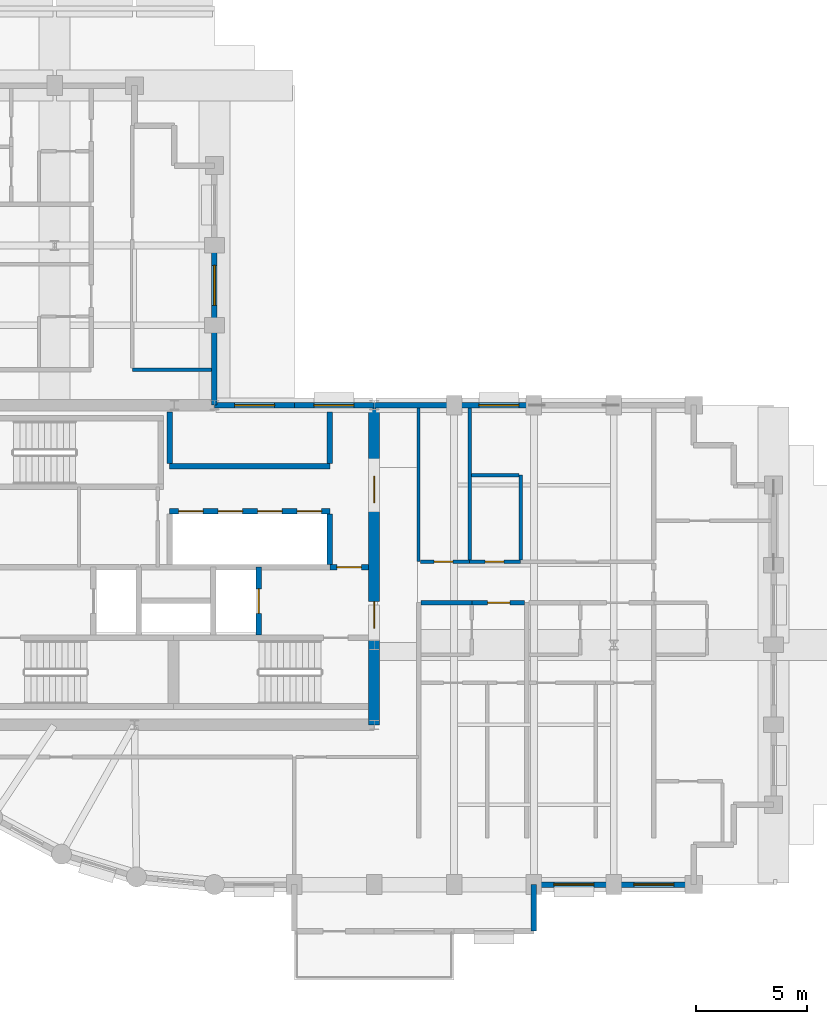
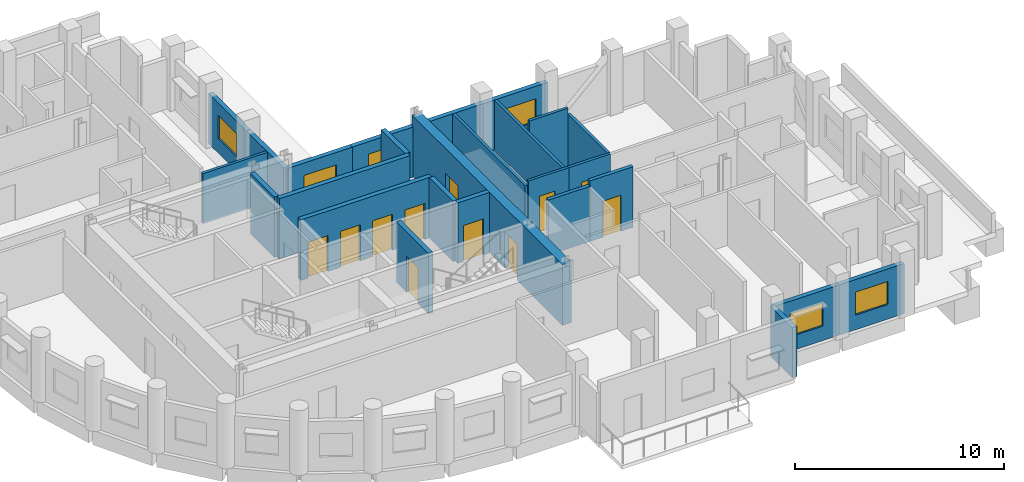
# One storey, part 5 of 10: 26 walls, 11 doors, 6 windows, 17 openings.
"""IFC4 building model written with IfcOpenShell, lengths in metres."""

from ifc_helpers import new_model, si_unit, direction, frame, frame_2d, origin, place, context, subcontext, project, spatial, rectangle, extrude, material, layer, layer_set, type_object, element, fill, save


model = new_model("IFC4")

# Units and contexts
model_context = context("Model", 3, precision=1e-05, world=origin(), true_north=direction((0.0, 1.0)))
body_context = subcontext(model_context, "Body", "Model", "MODEL_VIEW")
ifc_project = project(units=[si_unit("LENGTHUNIT", "METRE"), si_unit("AREAUNIT", "SQUARE_METRE"), si_unit("VOLUMEUNIT", "CUBIC_METRE"), si_unit("PLANEANGLEUNIT", "RADIAN"), si_unit("MASSUNIT", "GRAM", prefix="KILO")], contexts=[model_context])

# Site, building, storey
site_placement = place(None, origin())
site = spatial("IfcSite", under=ifc_project, at=site_placement, CompositionType="ELEMENT")
building_placement = place(site_placement, origin())
building = spatial("IfcBuilding", under=site, at=building_placement, Name="Solnavia Interchange Tower", CompositionType="ELEMENT")
storey_placement = place(building_placement, frame((0.0, 0.0, 174.800048828125)))
storey = spatial("IfcBuildingStorey", under=building, at=storey_placement, Name="L43", CompositionType="ELEMENT", Elevation=174.800048828125)

# Wall
ifc_material_1 = material(Name="Gypsum Acoustic Twin-Stud & Mineral Wool", Category="gypsum")
ifc_layer_1 = layer(ifc_material_1, 0.199951171875)
ifc_layer_set_1 = layer_set([ifc_layer_1], Name="Gypsum Acoustic Twin-Stud & Mineral Wool")
wall_type_1 = type_object("IfcWallType", Name="Wall-ApartmentParty-200", PredefinedType="PARTITIONING", material=ifc_layer_set_1)
wall_1_placement = place(storey_placement, frame((34.50390625, 16.300048828125, 0.0), z_axis=(0.0, 0.0, 1.0), x_axis=(1.0, 0.0, 0.0)))
element("IfcWall", 1, at=wall_1_placement, inside=storey, type_object=wall_type_1, Name="PTW-L43-15 Interior partition wall", PredefinedType="PARTITIONING", context=body_context, shape_type="SweptSolid", body=[
    extrude(rectangle(XDim=2.296142578125, YDim=0.199951171875, at=frame_2d((1.14794921875, 0.0))), origin(), (0.0, 0.0, 1.0), 3.219970703125),
])

# Wall, opening, door
wall_2_placement = place(storey_placement, frame((36.800048828125, 16.300048828125, 0.0), z_axis=(0.0, 0.0, 1.0), x_axis=(1.0, 0.0, 0.0)))
wall_2 = element("IfcWall", 2, at=wall_2_placement, inside=storey, type_object=wall_type_1, Name="PTW-L43-18 Interior partition wall", PredefinedType="PARTITIONING", context=body_context, shape_type="SweptSolid", body=[
    extrude(rectangle(XDim=2.3759765625, YDim=0.199951171875, at=frame_2d((1.18798828125, 0.0))), origin(), (0.0, 0.0, 1.0), 3.534912109375),
])
opening_1_placement = place(wall_2_placement, frame((0.7109375, 0.0, 0.0)))
opening_1 = element("IfcOpeningElement", 3, at=opening_1_placement, cuts=wall_2, Name="Opening DR-06", PredefinedType="OPENING", context=body_context, shape_type="SweptSolid", body=[
    extrude(rectangle(XDim=1.0, YDim=2.10009765625, at=frame_2d((0.5, 1.050048828125))), frame((0.0, 0.10986328125, 0.0), z_axis=(0.0, -1.0, 0.0), x_axis=(1.0, 0.0, 0.0)), (0.0, 0.0, 1.0), 0.219970703125),
])
ifc_material_2 = material(Name="Engineered Timber Acoustic Fire Door", Category="wood")
door_type_1 = type_object("IfcDoorType", Name="Door-FlatEntry-1000x2100", OperationType="SINGLE_SWING_LEFT", PredefinedType="DOOR", material=ifc_material_2)
door_1_placement = place(opening_1_placement, origin())
door_1 = element("IfcDoor", 4, at=door_1_placement, inside=storey, type_object=door_type_1, Name="DR-L43-07 Interior room door", OperationType="SINGLE_SWING_LEFT", OverallHeight=2.10009765625, OverallWidth=1.0, PredefinedType="DOOR", context=body_context, shape_type="SweptSolid", body=[
    extrude(rectangle(XDim=1.0, YDim=2.10009765625, at=frame_2d((0.5, 1.050048828125))), frame((0.0, 0.02490234375, 0.0), z_axis=(0.0, -1.0, 0.0), x_axis=(1.0, 0.0, 0.0)), (0.0, 0.0, 1.0), 0.050048828125),
])
fill(opening_1, door_1)

# Wall
ifc_material_3 = material(Name="Concrete C40/50", Category="concrete")
ifc_layer_2 = layer(ifc_material_3, 0.25)
ifc_layer_set_2 = layer_set([ifc_layer_2], Name="Concrete C40/50")
wall_type_2 = type_object("IfcWallType", Name="Wall-ExtSpandrel-250", PredefinedType="STANDARD", material=ifc_layer_set_2)
wall_3_placement = place(storey_placement, frame((39.60009765625, 3.60009765625, 0.0), z_axis=(0.0, 0.0, 1.0), x_axis=(0.0, -1.0, 0.0)))
element("IfcWall", 5, at=wall_3_placement, inside=storey, type_object=wall_type_2, Name="EXW-L43-06 Exterior precast spandrel wall", PredefinedType="STANDARD", context=body_context, shape_type="SweptSolid", body=[
    extrude(rectangle(XDim=2.10009765625, YDim=0.25, at=frame_2d((1.050048828125, 0.0))), origin(), (0.0, 0.0, 1.0), 2.929931640625),
])

# Wall, opening, window
wall_4_placement = place(storey_placement, frame((43.199951171875, 3.60009765625, 0.0), z_axis=(0.0, 0.0, 1.0), x_axis=(-1.0, 0.0, 0.0)))
wall_4 = element("IfcWall", 6, at=wall_4_placement, inside=storey, type_object=wall_type_2, Name="EXW-L43-07 Exterior precast spandrel wall", PredefinedType="STANDARD", context=body_context, shape_type="SweptSolid", body=[
    extrude(rectangle(XDim=3.599853515625, YDim=0.25, at=frame_2d((1.7998046875, 0.0))), origin(), (0.0, 0.0, 1.0), 2.929931640625),
])
opening_2_placement = place(wall_4_placement, frame((0.89990234375, 0.0, 0.85009765625)))
opening_2 = element("IfcOpeningElement", 7, at=opening_2_placement, cuts=wall_4, Name="Opening WIN-02", PredefinedType="OPENING", context=body_context, shape_type="SweptSolid", body=[
    extrude(rectangle(XDim=1.800048828125, YDim=1.35009765625, at=frame_2d((0.89990234375, 0.675048828125))), frame((0.0, 0.135009765625, 0.0), z_axis=(0.0, -1.0, 0.0), x_axis=(1.0, 0.0, 0.0)), (0.0, 0.0, 1.0), 0.27001953125),
])
ifc_material_4 = material(Name="Thermal-Break Aluminium & Low-E Glass", Category="aluminium")
window_type = type_object("IfcWindowType", Name="Window-Ribbon-1800x1350", PartitioningType="SINGLE_PANEL", PredefinedType="WINDOW", material=ifc_material_4)
window_1_placement = place(opening_2_placement, origin())
window_1 = element("IfcWindow", 8, at=window_1_placement, inside=storey, type_object=window_type, Name="WIN-L43-07 Facade ribbon window", OverallHeight=1.35009765625, OverallWidth=1.800048828125, PartitioningType="SINGLE_PANEL", PredefinedType="WINDOW", context=body_context, shape_type="SweptSolid", body=[
    extrude(rectangle(XDim=1.800048828125, YDim=1.35009765625, at=frame_2d((0.89990234375, 0.675048828125))), frame((0.0, 0.030029296875, 0.0), z_axis=(0.0, -1.0, 0.0), x_axis=(1.0, 0.0, 0.0)), (0.0, 0.0, 1.0), 0.06005859375),
])
fill(opening_2, window_1)

wall_5_placement = place(storey_placement, frame((46.800048828125, 3.60009765625, 0.0), z_axis=(0.0, 0.0, 1.0), x_axis=(-1.0, 0.0, 0.0)))
wall_5 = element("IfcWall", 9, at=wall_5_placement, inside=storey, type_object=wall_type_2, Name="EXW-L43-08 Exterior precast spandrel wall", PredefinedType="STANDARD", context=body_context, shape_type="SweptSolid", body=[
    extrude(rectangle(XDim=3.60009765625, YDim=0.25, at=frame_2d((1.800048828125, 0.0))), origin(), (0.0, 0.0, 1.0), 2.929931640625),
])
opening_3_placement = place(wall_5_placement, frame((0.89990234375, 0.0, 0.85009765625)))
opening_3 = element("IfcOpeningElement", 10, at=opening_3_placement, cuts=wall_5, Name="Opening WIN-02", PredefinedType="OPENING", context=body_context, shape_type="SweptSolid", body=[
    extrude(rectangle(XDim=1.800048828125, YDim=1.35009765625, at=frame_2d((0.89990234375, 0.675048828125))), frame((0.0, 0.135009765625, 0.0), z_axis=(0.0, -1.0, 0.0), x_axis=(1.0, 0.0, 0.0)), (0.0, 0.0, 1.0), 0.27001953125),
])
window_2_placement = place(opening_3_placement, origin())
window_2 = element("IfcWindow", 11, at=window_2_placement, inside=storey, type_object=window_type, Name="WIN-L43-08 Facade ribbon window", OverallHeight=1.35009765625, OverallWidth=1.800048828125, PartitioningType="SINGLE_PANEL", PredefinedType="WINDOW", context=body_context, shape_type="SweptSolid", body=[
    extrude(rectangle(XDim=1.800048828125, YDim=1.35009765625, at=frame_2d((0.89990234375, 0.675048828125))), frame((0.0, 0.030029296875, 0.0), z_axis=(0.0, -1.0, 0.0), x_axis=(1.0, 0.0, 0.0)), (0.0, 0.0, 1.0), 0.06005859375),
])
fill(opening_3, window_2)

wall_6_placement = place(storey_placement, frame((36.0, 25.199951171875, 0.0), z_axis=(0.0, 0.0, 1.0), x_axis=(1.0, 0.0, 0.0)))
wall_6 = element("IfcWall", 12, at=wall_6_placement, inside=storey, type_object=wall_type_2, Name="EXW-L43-23 Exterior precast spandrel wall", PredefinedType="STANDARD", context=body_context, shape_type="SweptSolid", body=[
    extrude(rectangle(XDim=3.60009765625, YDim=0.25, at=frame_2d((1.800048828125, 0.0))), origin(), (0.0, 0.0, 1.0), 2.929931640625),
])
opening_4_placement = place(wall_6_placement, frame((1.1201171875, 0.0, 0.85009765625)))
opening_4 = element("IfcOpeningElement", 13, at=opening_4_placement, cuts=wall_6, Name="Opening WIN-02", PredefinedType="OPENING", context=body_context, shape_type="SweptSolid", body=[
    extrude(rectangle(XDim=1.800048828125, YDim=1.35009765625, at=frame_2d((0.89990234375, 0.675048828125))), frame((0.0, 0.135009765625, 0.0), z_axis=(0.0, -1.0, 0.0), x_axis=(1.0, 0.0, 0.0)), (0.0, 0.0, 1.0), 0.27001953125),
])
window_3_placement = place(opening_4_placement, origin())
window_3 = element("IfcWindow", 14, at=window_3_placement, inside=storey, type_object=window_type, Name="WIN-L43-23 Facade ribbon window", OverallHeight=1.35009765625, OverallWidth=1.800048828125, PartitioningType="SINGLE_PANEL", PredefinedType="WINDOW", context=body_context, shape_type="SweptSolid", body=[
    extrude(rectangle(XDim=1.800048828125, YDim=1.35009765625, at=frame_2d((0.89990234375, 0.675048828125))), frame((0.0, 0.030029296875, 0.0), z_axis=(0.0, -1.0, 0.0), x_axis=(1.0, 0.0, 0.0)), (0.0, 0.0, 1.0), 0.06005859375),
])
fill(opening_4, window_3)

# Wall
wall_7_placement = place(storey_placement, frame((32.39990234375, 25.199951171875, 0.0), z_axis=(0.0, 0.0, 1.0), x_axis=(1.0, 0.0, 0.0)))
element("IfcWall", 15, at=wall_7_placement, inside=storey, type_object=wall_type_2, Name="EXW-L43-24 Exterior precast spandrel wall", PredefinedType="STANDARD", context=body_context, shape_type="SweptSolid", body=[
    extrude(rectangle(XDim=3.60009765625, YDim=0.25, at=frame_2d((1.800048828125, 0.0))), origin(), (0.0, 0.0, 1.0), 2.929931640625),
])

# Wall, opening, window
wall_8_placement = place(storey_placement, frame((28.800048828125, 25.199951171875, 0.0), z_axis=(0.0, 0.0, 1.0), x_axis=(1.0, 0.0, 0.0)))
wall_8 = element("IfcWall", 16, at=wall_8_placement, inside=storey, type_object=wall_type_2, Name="EXW-L43-25 Exterior precast spandrel wall", PredefinedType="STANDARD", context=body_context, shape_type="SweptSolid", body=[
    extrude(rectangle(XDim=3.599853515625, YDim=0.25, at=frame_2d((1.7998046875, 0.0))), origin(), (0.0, 0.0, 1.0), 2.929931640625),
])
opening_5_placement = place(wall_8_placement, frame((0.884033203125, 0.0, 0.85009765625)))
opening_5 = element("IfcOpeningElement", 17, at=opening_5_placement, cuts=wall_8, Name="Opening WIN-02", PredefinedType="OPENING", context=body_context, shape_type="SweptSolid", body=[
    extrude(rectangle(XDim=1.800048828125, YDim=1.35009765625, at=frame_2d((0.89990234375, 0.675048828125))), frame((0.0, 0.135009765625, 0.0), z_axis=(0.0, -1.0, 0.0), x_axis=(1.0, 0.0, 0.0)), (0.0, 0.0, 1.0), 0.27001953125),
])
window_4_placement = place(opening_5_placement, origin())
window_4 = element("IfcWindow", 18, at=window_4_placement, inside=storey, type_object=window_type, Name="WIN-L43-25 Facade ribbon window", OverallHeight=1.35009765625, OverallWidth=1.800048828125, PartitioningType="SINGLE_PANEL", PredefinedType="WINDOW", context=body_context, shape_type="SweptSolid", body=[
    extrude(rectangle(XDim=1.800048828125, YDim=1.35009765625, at=frame_2d((0.89990234375, 0.675048828125))), frame((0.0, 0.030029296875, 0.0), z_axis=(0.0, -1.0, 0.0), x_axis=(1.0, 0.0, 0.0)), (0.0, 0.0, 1.0), 0.06005859375),
])
fill(opening_5, window_4)

wall_9_placement = place(storey_placement, frame((25.199951171875, 25.199951171875, 0.0), z_axis=(0.0, 0.0, 1.0), x_axis=(1.0, 0.0, 0.0)))
wall_9 = element("IfcWall", 19, at=wall_9_placement, inside=storey, type_object=wall_type_2, Name="EXW-L43-26 Exterior precast spandrel wall", PredefinedType="STANDARD", context=body_context, shape_type="SweptSolid", body=[
    extrude(rectangle(XDim=3.60009765625, YDim=0.25, at=frame_2d((1.800048828125, 0.0))), origin(), (0.0, 0.0, 1.0), 2.929931640625),
])
opening_6_placement = place(wall_9_placement, frame((0.916015625, 0.0, 0.85009765625)))
opening_6 = element("IfcOpeningElement", 20, at=opening_6_placement, cuts=wall_9, Name="Opening WIN-02", PredefinedType="OPENING", context=body_context, shape_type="SweptSolid", body=[
    extrude(rectangle(XDim=1.800048828125, YDim=1.35009765625, at=frame_2d((0.89990234375, 0.675048828125))), frame((0.0, 0.135009765625, 0.0), z_axis=(0.0, -1.0, 0.0), x_axis=(1.0, 0.0, 0.0)), (0.0, 0.0, 1.0), 0.27001953125),
])
window_5_placement = place(opening_6_placement, origin())
window_5 = element("IfcWindow", 21, at=window_5_placement, inside=storey, type_object=window_type, Name="WIN-L43-26 Facade ribbon window", OverallHeight=1.35009765625, OverallWidth=1.800048828125, PartitioningType="SINGLE_PANEL", PredefinedType="WINDOW", context=body_context, shape_type="SweptSolid", body=[
    extrude(rectangle(XDim=1.800048828125, YDim=1.35009765625, at=frame_2d((0.89990234375, 0.675048828125))), frame((0.0, 0.030029296875, 0.0), z_axis=(0.0, -1.0, 0.0), x_axis=(1.0, 0.0, 0.0)), (0.0, 0.0, 1.0), 0.06005859375),
])
fill(opening_6, window_5)

# Wall
wall_10_placement = place(storey_placement, frame((25.199951171875, 25.199951171875, 0.0), z_axis=(0.0, 0.0, 1.0), x_axis=(0.0, 1.0, 0.0)))
element("IfcWall", 22, at=wall_10_placement, inside=storey, type_object=wall_type_2, Name="EXW-L43-27 Exterior precast spandrel wall", PredefinedType="STANDARD", context=body_context, shape_type="SweptSolid", body=[
    extrude(rectangle(XDim=3.60009765625, YDim=0.25, at=frame_2d((1.800048828125, 0.0))), origin(), (0.0, 0.0, 1.0), 2.929931640625),
])

# Wall, opening, window
wall_11_placement = place(storey_placement, frame((25.199951171875, 28.800048828125, 0.0), z_axis=(0.0, 0.0, 1.0), x_axis=(0.0, 1.0, 0.0)))
wall_11 = element("IfcWall", 23, at=wall_11_placement, inside=storey, type_object=wall_type_2, Name="EXW-L43-28 Exterior precast spandrel wall", PredefinedType="STANDARD", context=body_context, shape_type="SweptSolid", body=[
    extrude(rectangle(XDim=3.599853515625, YDim=0.25, at=frame_2d((1.7998046875, 0.0))), origin(), (0.0, 0.0, 1.0), 2.929931640625),
])
opening_7_placement = place(wall_11_placement, frame((0.89990234375, 0.0, 0.85009765625)))
opening_7 = element("IfcOpeningElement", 24, at=opening_7_placement, cuts=wall_11, Name="Opening WIN-02", PredefinedType="OPENING", context=body_context, shape_type="SweptSolid", body=[
    extrude(rectangle(XDim=1.800048828125, YDim=1.35009765625, at=frame_2d((0.89990234375, 0.675048828125))), frame((0.0, 0.135009765625, 0.0), z_axis=(0.0, -1.0, 0.0), x_axis=(1.0, 0.0, 0.0)), (0.0, 0.0, 1.0), 0.27001953125),
])
window_6_placement = place(opening_7_placement, origin())
window_6 = element("IfcWindow", 25, at=window_6_placement, inside=storey, type_object=window_type, Name="WIN-L43-28 Facade ribbon window", OverallHeight=1.35009765625, OverallWidth=1.800048828125, PartitioningType="SINGLE_PANEL", PredefinedType="WINDOW", context=body_context, shape_type="SweptSolid", body=[
    extrude(rectangle(XDim=1.800048828125, YDim=1.35009765625, at=frame_2d((0.89990234375, 0.675048828125))), frame((0.0, 0.030029296875, 0.0), z_axis=(0.0, -1.0, 0.0), x_axis=(1.0, 0.0, 0.0)), (0.0, 0.0, 1.0), 0.06005859375),
])
fill(opening_7, window_6)

# Wall
ifc_material_5 = material(Name="Gypsum Plasterboard & Steel Stud", Category="steel")
ifc_layer_3 = layer(ifc_material_5, 0.14990234375)
ifc_layer_set_3 = layer_set([ifc_layer_3], Name="Gypsum Plasterboard & Steel Stud")
wall_type_3 = type_object("IfcWallType", Name="Wall-Partition-150", PredefinedType="PARTITIONING", material=ifc_layer_set_3)
wall_12_placement = place(storey_placement, frame((21.5, 26.800048828125, 0.0), z_axis=(0.0, 0.0, 1.0), x_axis=(1.0, 0.0, 0.0)))
element("IfcWall", 26, at=wall_12_placement, inside=storey, type_object=wall_type_3, Name="PTW-L43-56 Interior partition wall", PredefinedType="PARTITIONING", context=body_context, shape_type="SweptSolid", body=[
    extrude(rectangle(XDim=3.571044921875, YDim=0.14990234375, at=frame_2d((1.78564453125, 0.0))), origin(), (0.0, 0.0, 1.0), 2.929931640625),
])

# Wall, opening, door
ifc_layer_4 = layer(ifc_material_3, 0.25)
ifc_layer_set_4 = layer_set([ifc_layer_4], Name="Concrete C40/50")
wall_type_4 = type_object("IfcWallType", Name="Wall-ShaftPart-250", PredefinedType="PARTITIONING", material=ifc_layer_set_4)
wall_13_placement = place(storey_placement, frame((30.39990234375, 17.89990234375, 0.0), z_axis=(0.0, 0.0, 1.0), x_axis=(1.0, 0.0, 0.0)))
wall_13 = element("IfcWall", 27, at=wall_13_placement, inside=storey, type_object=wall_type_4, Name="SHW-L43-FFLE-N2 Core shaft wall", PredefinedType="PARTITIONING", context=body_context, shape_type="SweptSolid", body=[
    extrude(rectangle(XDim=1.75, YDim=0.25, at=frame_2d((0.875, 0.0))), origin(), (0.0, 0.0, 1.0), 3.534912109375),
])
opening_8_placement = place(wall_13_placement, frame((0.320068359375, 0.0, 0.0)))
opening_8 = element("IfcOpeningElement", 28, at=opening_8_placement, cuts=wall_13, Name="Opening DR-01", PredefinedType="OPENING", context=body_context, shape_type="SweptSolid", body=[
    extrude(rectangle(XDim=1.10009765625, YDim=2.10009765625, at=frame_2d((0.550048828125, 1.050048828125))), frame((0.0, 0.135009765625, 0.0), z_axis=(0.0, -1.0, 0.0), x_axis=(1.0, 0.0, 0.0)), (0.0, 0.0, 1.0), 0.27001953125),
])
ifc_material_6 = material(Name="Steel Fire-Rated Leaf & Frame", Category="steel")
door_type_2 = type_object("IfcDoorType", Name="Door-StairFire-1100x2100", OperationType="SINGLE_SWING_LEFT", PredefinedType="DOOR", material=ifc_material_6)
door_2_placement = place(opening_8_placement, origin())
door_2 = element("IfcDoor", 29, at=door_2_placement, inside=storey, type_object=door_type_2, Name="DR-L43-LLC Core fire door", OperationType="SINGLE_SWING_LEFT", OverallHeight=2.10009765625, OverallWidth=1.10009765625, PredefinedType="DOOR", context=body_context, shape_type="SweptSolid", body=[
    extrude(rectangle(XDim=1.10009765625, YDim=2.10009765625, at=frame_2d((0.550048828125, 1.050048828125))), frame((0.0, 0.02490234375, 0.0), z_axis=(0.0, -1.0, 0.0), x_axis=(1.0, 0.0, 0.0)), (0.0, 0.0, 1.0), 0.050048828125),
])
fill(opening_8, door_2)

wall_14_placement = place(storey_placement, frame((27.199951171875, 14.840087890625, 0.0), z_axis=(0.0, 0.0, 1.0), x_axis=(0.0, 1.0, 0.0)))
wall_14 = element("IfcWall", 30, at=wall_14_placement, inside=storey, type_object=wall_type_4, Name="SHW-L43-FFL2-E Core shaft wall", PredefinedType="PARTITIONING", context=body_context, shape_type="SweptSolid", body=[
    extrude(rectangle(XDim=3.059814453125, YDim=0.25, at=frame_2d((1.52978515625, 0.0))), origin(), (0.0, 0.0, 1.0), 3.534912109375),
])
opening_9_placement = place(wall_14_placement, frame((0.97998046875, 0.0, 0.0)))
opening_9 = element("IfcOpeningElement", 31, at=opening_9_placement, cuts=wall_14, Name="Opening LD-01", PredefinedType="OPENING", context=body_context, shape_type="SweptSolid", body=[
    extrude(rectangle(XDim=1.10009765625, YDim=2.10009765625, at=frame_2d((0.550048828125, 1.050048828125))), frame((0.0, 0.135009765625, 0.0), z_axis=(0.0, -1.0, 0.0), x_axis=(1.0, 0.0, 0.0)), (0.0, 0.0, 1.0), 0.27001953125),
])
ifc_material_7 = material(Name="Brushed Stainless Steel Sliding Door", Category="steel")
door_type_3 = type_object("IfcDoorType", Name="Door-LiftLanding-1100x2100", OperationType="SLIDING_TO_LEFT", PredefinedType="DOOR", material=ifc_material_7)
door_3_placement = place(opening_9_placement, origin())
door_3 = element("IfcDoor", 32, at=door_3_placement, inside=storey, type_object=door_type_3, Name="LD-L43-FFL2 Lift landing sliding door", OperationType="SLIDING_TO_LEFT", OverallHeight=2.10009765625, OverallWidth=1.10009765625, PredefinedType="DOOR", context=body_context, shape_type="SweptSolid", body=[
    extrude(rectangle(XDim=1.10009765625, YDim=2.10009765625, at=frame_2d((0.550048828125, 1.050048828125))), frame((0.0, 0.02490234375, 0.0), z_axis=(0.0, -1.0, 0.0), x_axis=(1.0, 0.0, 0.0)), (0.0, 0.0, 1.0), 0.050048828125),
])
fill(opening_9, door_3)

# Wall, openings, doors
wall_15_placement = place(storey_placement, frame((23.179931640625, 20.419921875, 0.0), z_axis=(0.0, 0.0, 1.0), x_axis=(1.0, 0.0, 0.0)))
wall_15 = element("IfcWall", 33, at=wall_15_placement, inside=storey, type_object=wall_type_4, Name="SHW-L43-B2N Core shaft wall", PredefinedType="PARTITIONING", context=body_context, shape_type="SweptSolid", body=[
    extrude(rectangle(XDim=7.219970703125, YDim=0.25, at=frame_2d((3.60986328125, 0.0))), origin(), (0.0, 0.0, 1.0), 3.534912109375),
])
opening_10_placement = place(wall_15_placement, frame((0.409912109375, 0.0, 0.0)))
opening_10 = element("IfcOpeningElement", 34, at=opening_10_placement, cuts=wall_15, Name="Opening LD-01", PredefinedType="OPENING", context=body_context, shape_type="SweptSolid", body=[
    extrude(rectangle(XDim=1.10009765625, YDim=2.10009765625, at=frame_2d((0.550048828125, 1.050048828125))), frame((0.0, 0.135009765625, 0.0), z_axis=(0.0, -1.0, 0.0), x_axis=(1.0, 0.0, 0.0)), (0.0, 0.0, 1.0), 0.27001953125),
])
opening_11_placement = place(wall_15_placement, frame((2.18994140625, 0.0, 0.0)))
opening_11 = element("IfcOpeningElement", 35, at=opening_11_placement, cuts=wall_15, Name="Opening LD-01", PredefinedType="OPENING", context=body_context, shape_type="SweptSolid", body=[
    extrude(rectangle(XDim=1.10009765625, YDim=2.10009765625, at=frame_2d((0.550048828125, 1.050048828125))), frame((0.0, 0.135009765625, 0.0), z_axis=(0.0, -1.0, 0.0), x_axis=(1.0, 0.0, 0.0)), (0.0, 0.0, 1.0), 0.27001953125),
])
opening_12_placement = place(wall_15_placement, frame((3.969970703125, 0.0, 0.0)))
opening_12 = element("IfcOpeningElement", 36, at=opening_12_placement, cuts=wall_15, Name="Opening LD-01", PredefinedType="OPENING", context=body_context, shape_type="SweptSolid", body=[
    extrude(rectangle(XDim=1.10009765625, YDim=2.10009765625, at=frame_2d((0.550048828125, 1.050048828125))), frame((0.0, 0.135009765625, 0.0), z_axis=(0.0, -1.0, 0.0), x_axis=(1.0, 0.0, 0.0)), (0.0, 0.0, 1.0), 0.27001953125),
])
opening_13_placement = place(wall_15_placement, frame((5.75, 0.0, 0.0)))
opening_13 = element("IfcOpeningElement", 37, at=opening_13_placement, cuts=wall_15, Name="Opening LD-01", PredefinedType="OPENING", context=body_context, shape_type="SweptSolid", body=[
    extrude(rectangle(XDim=1.10009765625, YDim=2.10009765625, at=frame_2d((0.550048828125, 1.050048828125))), frame((0.0, 0.135009765625, 0.0), z_axis=(0.0, -1.0, 0.0), x_axis=(1.0, 0.0, 0.0)), (0.0, 0.0, 1.0), 0.27001953125),
])
door_4_placement = place(opening_10_placement, origin())
door_4 = element("IfcDoor", 38, at=door_4_placement, inside=storey, type_object=door_type_3, Name="LD-L43-B2-1 Lift landing sliding door", OperationType="SLIDING_TO_LEFT", OverallHeight=2.10009765625, OverallWidth=1.10009765625, PredefinedType="DOOR", context=body_context, shape_type="SweptSolid", body=[
    extrude(rectangle(XDim=1.10009765625, YDim=2.10009765625, at=frame_2d((0.550048828125, 1.050048828125))), frame((0.0, 0.02490234375, 0.0), z_axis=(0.0, -1.0, 0.0), x_axis=(1.0, 0.0, 0.0)), (0.0, 0.0, 1.0), 0.050048828125),
])
fill(opening_10, door_4)
door_5_placement = place(opening_11_placement, origin())
door_5 = element("IfcDoor", 39, at=door_5_placement, inside=storey, type_object=door_type_3, Name="LD-L43-B2-2 Lift landing sliding door", OperationType="SLIDING_TO_LEFT", OverallHeight=2.10009765625, OverallWidth=1.10009765625, PredefinedType="DOOR", context=body_context, shape_type="SweptSolid", body=[
    extrude(rectangle(XDim=1.10009765625, YDim=2.10009765625, at=frame_2d((0.550048828125, 1.050048828125))), frame((0.0, 0.02490234375, 0.0), z_axis=(0.0, -1.0, 0.0), x_axis=(1.0, 0.0, 0.0)), (0.0, 0.0, 1.0), 0.050048828125),
])
fill(opening_11, door_5)
door_6_placement = place(opening_12_placement, origin())
door_6 = element("IfcDoor", 40, at=door_6_placement, inside=storey, type_object=door_type_3, Name="LD-L43-B2-3 Lift landing sliding door", OperationType="SLIDING_TO_LEFT", OverallHeight=2.10009765625, OverallWidth=1.10009765625, PredefinedType="DOOR", context=body_context, shape_type="SweptSolid", body=[
    extrude(rectangle(XDim=1.10009765625, YDim=2.10009765625, at=frame_2d((0.550048828125, 1.050048828125))), frame((0.0, 0.02490234375, 0.0), z_axis=(0.0, -1.0, 0.0), x_axis=(1.0, 0.0, 0.0)), (0.0, 0.0, 1.0), 0.050048828125),
])
fill(opening_12, door_6)
door_7_placement = place(opening_13_placement, origin())
door_7 = element("IfcDoor", 41, at=door_7_placement, inside=storey, type_object=door_type_3, Name="LD-L43-B2-4 Lift landing sliding door", OperationType="SLIDING_TO_LEFT", OverallHeight=2.10009765625, OverallWidth=1.10009765625, PredefinedType="DOOR", context=body_context, shape_type="SweptSolid", body=[
    extrude(rectangle(XDim=1.10009765625, YDim=2.10009765625, at=frame_2d((0.550048828125, 1.050048828125))), frame((0.0, 0.02490234375, 0.0), z_axis=(0.0, -1.0, 0.0), x_axis=(1.0, 0.0, 0.0)), (0.0, 0.0, 1.0), 0.050048828125),
])
fill(opening_13, door_7)

# Walls
wall_16_placement = place(storey_placement, frame((30.39990234375, 18.02490234375, 0.0), z_axis=(0.0, 0.0, 1.0), x_axis=(0.0, 1.0, 0.0)))
element("IfcWall", 42, at=wall_16_placement, inside=storey, type_object=wall_type_4, Name="SHW-L43-B2E Core shaft wall", PredefinedType="PARTITIONING", context=body_context, shape_type="SweptSolid", body=[
    extrude(rectangle(XDim=2.27001953125, YDim=0.25, at=frame_2d((1.135009765625, 0.0))), origin(), (0.0, 0.0, 1.0), 3.534912109375),
])
wall_17_placement = place(storey_placement, frame((23.179931640625, 22.4599609375, 0.0), z_axis=(0.0, 0.0, 1.0), x_axis=(1.0, 0.0, 0.0)))
element("IfcWall", 43, at=wall_17_placement, inside=storey, type_object=wall_type_4, Name="SHW-L43-B3S Core shaft wall", PredefinedType="PARTITIONING", context=body_context, shape_type="SweptSolid", body=[
    extrude(rectangle(XDim=7.219970703125, YDim=0.25, at=frame_2d((3.60986328125, 0.0))), origin(), (0.0, 0.0, 1.0), 3.534912109375),
])
for number, where, z_axis, x_axis, name in (
    (44, (23.179931640625, 22.5849609375, 0.0), (0.0, 0.0, 1.0), (0.0, 1.0, 0.0), "SHW-L43-B3W Core shaft wall"),
    (45, (30.39990234375, 22.5849609375, 0.0), (0.0, 0.0, 1.0), (0.0, 1.0, 0.0), "SHW-L43-B3E Core shaft wall"),
):
    element("IfcWall", number, at=place(storey_placement, frame(where, z_axis=z_axis, x_axis=x_axis)), inside=storey, type_object=wall_type_4, Name=name, PredefinedType="PARTITIONING", context=body_context, shape_type="SweptSolid", body=[
        extrude(rectangle(XDim=2.31494140625, YDim=0.25, at=frame_2d((1.157470703125, 0.0))), origin(), (0.0, 0.0, 1.0), 3.534912109375),
    ])

# Wall, openings, doors
ifc_material_8 = material(Name="Concrete C60/75", Category="concrete")
ifc_layer_5 = layer(ifc_material_8, 0.5)
ifc_layer_set_5 = layer_set([ifc_layer_5], Name="Concrete C60/75")
wall_type_5 = type_object("IfcWallType", Name="Wall-ShearCore-500", PredefinedType="SHEAR", material=ifc_layer_set_5)
wall_18_placement = place(storey_placement, frame((32.39990234375, 10.800048828125, 0.0), z_axis=(0.0, 0.0, 1.0), x_axis=(0.0, 1.0, 0.0)))
wall_18 = element("IfcWall", 46, at=wall_18_placement, inside=storey, type_object=wall_type_5, Name="CRW-L43-E Core shear wall", PredefinedType="SHEAR", context=body_context, shape_type="SweptSolid", body=[
    extrude(rectangle(XDim=14.39990234375, YDim=0.5, at=frame_2d((7.199951171875, 0.0))), origin(), (0.0, 0.0, 1.0), 3.550048828125),
])
opening_14_placement = place(wall_18_placement, frame((4.35009765625, 0.0, 0.0)))
opening_14 = element("IfcOpeningElement", 47, at=opening_14_placement, cuts=wall_18, Name="Opening DR-02", PredefinedType="OPENING", context=body_context, shape_type="SweptSolid", body=[
    extrude(rectangle(XDim=1.199951171875, YDim=2.10009765625, at=frame_2d((0.60009765625, 1.050048828125))), frame((0.0, 0.260009765625, 0.0), z_axis=(0.0, -1.0, 0.0), x_axis=(1.0, 0.0, 0.0)), (0.0, 0.0, 1.0), 0.52001953125),
])
opening_15_placement = place(wall_18_placement, frame((10.0, 0.0, 0.0)))
opening_15 = element("IfcOpeningElement", 48, at=opening_15_placement, cuts=wall_18, Name="Opening DR-02", PredefinedType="OPENING", context=body_context, shape_type="SweptSolid", body=[
    extrude(rectangle(XDim=1.199951171875, YDim=2.10009765625, at=frame_2d((0.60009765625, 1.050048828125))), frame((0.0, 0.260009765625, 0.0), z_axis=(0.0, -1.0, 0.0), x_axis=(1.0, 0.0, 0.0)), (0.0, 0.0, 1.0), 0.52001953125),
])
ifc_material_9 = material(Name="Steel Fire-Rated Vision-Panel Door", Category="steel")
door_type_4 = type_object("IfcDoorType", Name="Door-LobbyFire-1200x2100", OperationType="SINGLE_SWING_RIGHT", PredefinedType="DOOR", material=ifc_material_9)
door_8_placement = place(opening_14_placement, origin())
door_8 = element("IfcDoor", 49, at=door_8_placement, inside=storey, type_object=door_type_4, Name="DR-L43-FFL2E Core fire door", OperationType="SINGLE_SWING_LEFT", OverallHeight=2.10009765625, OverallWidth=1.199951171875, PredefinedType="DOOR", context=body_context, shape_type="SweptSolid", body=[
    extrude(rectangle(XDim=1.199951171875, YDim=2.10009765625, at=frame_2d((0.60009765625, 1.050048828125))), frame((0.0, 0.02490234375, 0.0), z_axis=(0.0, -1.0, 0.0), x_axis=(1.0, 0.0, 0.0)), (0.0, 0.0, 1.0), 0.050048828125),
])
fill(opening_14, door_8)
door_9_placement = place(opening_15_placement, origin())
door_9 = element("IfcDoor", 50, at=door_9_placement, inside=storey, type_object=door_type_4, Name="DR-L43-LLE Core fire door", OperationType="SINGLE_SWING_RIGHT", OverallHeight=2.10009765625, OverallWidth=1.199951171875, PredefinedType="DOOR", context=body_context, shape_type="SweptSolid", body=[
    extrude(rectangle(XDim=1.199951171875, YDim=2.10009765625, at=frame_2d((0.60009765625, 1.050048828125))), frame((0.0, 0.02490234375, 0.0), z_axis=(0.0, -1.0, 0.0), x_axis=(1.0, 0.0, 0.0)), (0.0, 0.0, 1.0), 0.050048828125),
])
fill(opening_15, door_9)

# Wall
ifc_material_10 = material(Name="Moisture-Resistant Gypsum & Steel Stud", Category="steel")
ifc_layer_6 = layer(ifc_material_10, 0.14990234375)
ifc_layer_set_6 = layer_set([ifc_layer_6], Name="Moisture-Resistant Gypsum & Steel Stud")
wall_type_6 = type_object("IfcWallType", Name="Wall-WetRoom-150", PredefinedType="PARTITIONING", material=ifc_layer_set_6)
wall_19_placement = place(storey_placement, frame((34.39990234375, 18.14990234375, 0.0), z_axis=(0.0, 0.0, 1.0), x_axis=(0.0, 1.0, 0.0)))
element("IfcWall", 51, at=wall_19_placement, inside=storey, type_object=wall_type_6, Name="PTW-L43-01 Interior partition wall", PredefinedType="PARTITIONING", context=body_context, shape_type="SweptSolid", body=[
    extrude(rectangle(XDim=6.921142578125, YDim=0.14990234375, at=frame_2d((3.46044921875, 0.0))), origin(), (0.0, 0.0, 1.0), 2.929931640625),
])

# Wall, opening, door
wall_20_placement = place(storey_placement, frame((34.47900390625, 18.14990234375, 0.0), z_axis=(0.0, 0.0, 1.0), x_axis=(1.0, 0.0, 0.0)))
wall_20 = element("IfcWall", 52, at=wall_20_placement, inside=storey, type_object=wall_type_6, Name="PTW-L43-02 Interior partition wall", PredefinedType="PARTITIONING", context=body_context, shape_type="SweptSolid", body=[
    extrude(rectangle(XDim=2.220947265625, YDim=0.14990234375, at=frame_2d((1.1103515625, 0.0))), origin(), (0.0, 0.0, 1.0), 3.199951171875),
])
opening_16_placement = place(wall_20_placement, frame((0.617919921875, 0.0, 0.0)))
opening_16 = element("IfcOpeningElement", 53, at=opening_16_placement, cuts=wall_20, Name="Opening DR-10", PredefinedType="OPENING", context=body_context, shape_type="SweptSolid", body=[
    extrude(rectangle(XDim=0.85009765625, YDim=2.10009765625, at=frame_2d((0.425048828125, 1.050048828125))), frame((0.0, 0.0849609375, 0.0), z_axis=(0.0, -1.0, 0.0), x_axis=(1.0, 0.0, 0.0)), (0.0, 0.0, 1.0), 0.169921875),
])
ifc_material_11 = material(Name="Moisture-Resistant Timber Door", Category="wood")
door_type_5 = type_object("IfcDoorType", Name="Door-Bathroom-850x2100", OperationType="SINGLE_SWING_RIGHT", PredefinedType="DOOR", material=ifc_material_11)
door_10_placement = place(opening_16_placement, origin())
door_10 = element("IfcDoor", 54, at=door_10_placement, inside=storey, type_object=door_type_5, Name="DR-L43-01 Interior room door", OperationType="SINGLE_SWING_LEFT", OverallHeight=2.10009765625, OverallWidth=0.85009765625, PredefinedType="DOOR", context=body_context, shape_type="SweptSolid", body=[
    extrude(rectangle(XDim=0.85009765625, YDim=2.10009765625, at=frame_2d((0.425048828125, 1.050048828125))), frame((0.0, 0.02490234375, 0.0), z_axis=(0.0, -1.0, 0.0), x_axis=(1.0, 0.0, 0.0)), (0.0, 0.0, 1.0), 0.050048828125),
])
fill(opening_16, door_10)

# Wall
wall_21_placement = place(storey_placement, frame((36.699951171875, 18.22900390625, 0.0), z_axis=(0.0, 0.0, 1.0), x_axis=(0.0, 1.0, 0.0)))
element("IfcWall", 55, at=wall_21_placement, inside=storey, type_object=wall_type_6, Name="PTW-L43-03 Interior partition wall", PredefinedType="PARTITIONING", context=body_context, shape_type="SweptSolid", body=[
    extrude(rectangle(XDim=6.842041015625, YDim=0.14990234375, at=frame_2d((3.4208984375, 0.0))), origin(), (0.0, 0.0, 1.0), 2.929931640625),
])

# Wall, opening, door
wall_22_placement = place(storey_placement, frame((36.699951171875, 18.14990234375, 0.0), z_axis=(0.0, 0.0, 1.0), x_axis=(1.0, 0.0, 0.0)))
wall_22 = element("IfcWall", 56, at=wall_22_placement, inside=storey, type_object=wall_type_6, Name="PTW-L43-04 Interior partition wall", PredefinedType="PARTITIONING", context=body_context, shape_type="SweptSolid", body=[
    extrude(rectangle(XDim=2.300048828125, YDim=0.14990234375, at=frame_2d((1.14990234375, 0.0))), origin(), (0.0, 0.0, 1.0), 3.199951171875),
])
opening_17_placement = place(wall_22_placement, frame((0.697021484375, 0.0, 0.0)))
opening_17 = element("IfcOpeningElement", 57, at=opening_17_placement, cuts=wall_22, Name="Opening DR-10", PredefinedType="OPENING", context=body_context, shape_type="SweptSolid", body=[
    extrude(rectangle(XDim=0.85009765625, YDim=2.10009765625, at=frame_2d((0.425048828125, 1.050048828125))), frame((0.0, 0.0849609375, 0.0), z_axis=(0.0, -1.0, 0.0), x_axis=(1.0, 0.0, 0.0)), (0.0, 0.0, 1.0), 0.169921875),
])
door_11_placement = place(opening_17_placement, origin())
door_11 = element("IfcDoor", 58, at=door_11_placement, inside=storey, type_object=door_type_5, Name="DR-L43-02 Interior room door", OperationType="SINGLE_SWING_RIGHT", OverallHeight=2.10009765625, OverallWidth=0.85009765625, PredefinedType="DOOR", context=body_context, shape_type="SweptSolid", body=[
    extrude(rectangle(XDim=0.85009765625, YDim=2.10009765625, at=frame_2d((0.425048828125, 1.050048828125))), frame((0.0, 0.02490234375, 0.0), z_axis=(0.0, -1.0, 0.0), x_axis=(1.0, 0.0, 0.0)), (0.0, 0.0, 1.0), 0.050048828125),
])
fill(opening_17, door_11)

# Walls
wall_23_placement = place(storey_placement, frame((39.0, 18.22900390625, 0.0), z_axis=(0.0, 0.0, 1.0), x_axis=(0.0, 1.0, 0.0)))
element("IfcWall", 59, at=wall_23_placement, inside=storey, type_object=wall_type_6, Name="PTW-L43-05 Interior partition wall", PredefinedType="PARTITIONING", context=body_context, shape_type="SweptSolid", body=[
    extrude(rectangle(XDim=3.821044921875, YDim=0.14990234375, at=frame_2d((1.91064453125, 0.0))), origin(), (0.0, 0.0, 1.0), 3.169921875),
])
wall_24_placement = place(storey_placement, frame((36.779052734375, 22.050048828125, 0.0), z_axis=(0.0, 0.0, 1.0), x_axis=(1.0, 0.0, 0.0)))
element("IfcWall", 60, at=wall_24_placement, inside=storey, type_object=wall_type_6, Name="PTW-L43-06 Interior partition wall", PredefinedType="PARTITIONING", context=body_context, shape_type="SweptSolid", body=[
    extrude(rectangle(XDim=2.141845703125, YDim=0.14990234375, at=frame_2d((1.07080078125, 0.0))), origin(), (0.0, 0.0, 1.0), 3.534912109375),
])

save(model, "model.ifc")
